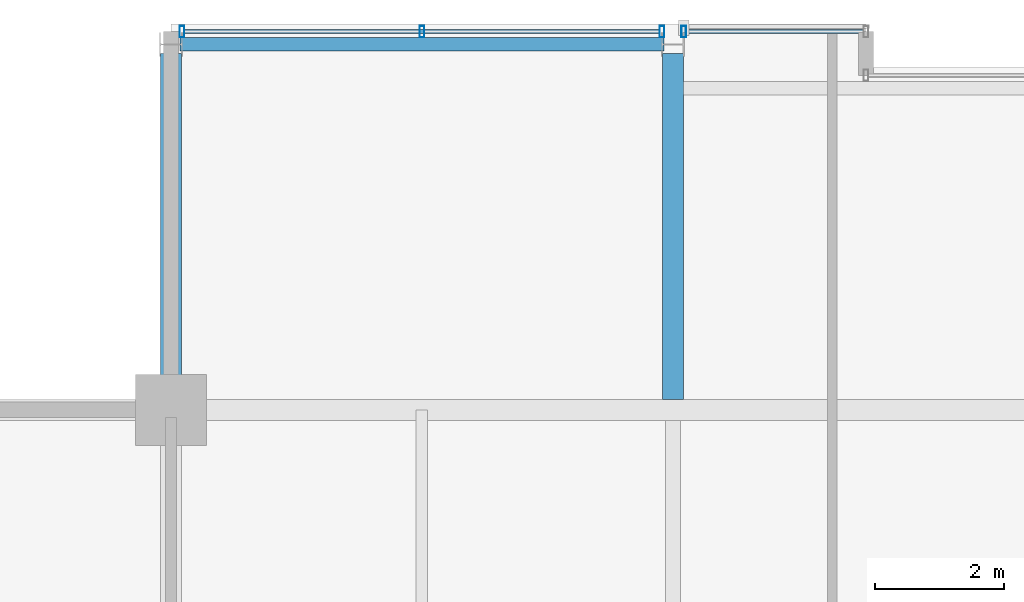
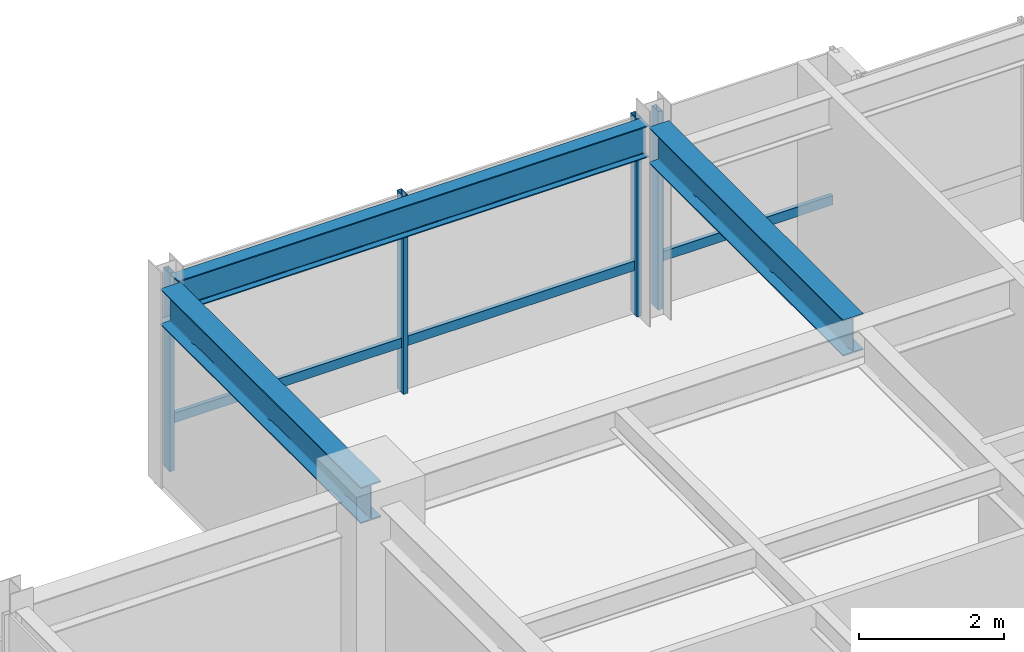
# One storey, part 21 of 34: 6 members, 3 beams, 2 elements without a shape of their own.
"""IFC4 building model written with IfcOpenShell, lengths in metres."""

from ifc_helpers import new_model, si_unit, direction, frame, origin, origin_2d, place, context, subcontext, project, spatial, hollow_rectangle, i_section, extrude, material, layer, layer_set, material_profile, profile_set, type_object, element, aggregate, save


model = new_model("IFC4")

# Units and contexts
model_context = context("Model", 3, precision=1e-05, world=origin(), true_north=direction((0.0, 1.0)))
body_context = subcontext(model_context, "Body", "Model", "MODEL_VIEW")
ifc_project = project(units=[si_unit("LENGTHUNIT", "METRE"), si_unit("AREAUNIT", "SQUARE_METRE"), si_unit("VOLUMEUNIT", "CUBIC_METRE"), si_unit("PLANEANGLEUNIT", "RADIAN"), si_unit("MASSUNIT", "GRAM", prefix="KILO")], contexts=[model_context])

# Site, building, storey
site_placement = place(None, origin())
site = spatial("IfcSite", under=ifc_project, at=site_placement, CompositionType="ELEMENT")
building_placement = place(site_placement, origin())
building = spatial("IfcBuilding", under=site, at=building_placement, Name="Drelvath Grand Hotel", CompositionType="ELEMENT")
storey_placement = place(building_placement, frame((0.0, 0.0, 290.550048828125)))
storey = spatial("IfcBuildingStorey", under=building, at=storey_placement, Name="L76", CompositionType="ELEMENT", Elevation=290.550048828125)

# Curtain wall, member
ifc_material_1 = material(Name="Platinum-Mist Anodised Aluminium Frame", Category="aluminium")
ifc_layer = layer(ifc_material_1, 0.199951171875)
ifc_layer_set = layer_set([ifc_layer], Name="Platinum-Mist Anodised Aluminium Frame")
curtain_wall_type = type_object("IfcCurtainWallType", Name="Stick Curtain Wall CW-05 Platinum Mist High-Rise", PredefinedType="NOTDEFINED", material=ifc_layer_set)
curtain_wall_1_placement = place(storey_placement, origin())
curtain_wall_1 = element("IfcCurtainWall", 1, at=curtain_wall_1_placement, inside=storey, type_object=curtain_wall_type, Name="L76 CW-05 Curtain Wall CW05-L76-NW1", PredefinedType="NOTDEFINED")
ifc_material_profile_1 = material_profile(ifc_material_1, hollow_rectangle(XDim=0.06494140625, YDim=0.159912109375, WallThickness=0.00390625, at=origin_2d()), Name="HSS160X65X4")
ifc_profile_set_1 = profile_set([ifc_material_profile_1], Name="Platinum-Mist Anodised Aluminium Frame")
member_type_1 = type_object("IfcMemberType", Name="Curtain Wall Horizontal Transom CW-05 HSS160X65X4", PredefinedType="USERDEFINED", material=ifc_profile_set_1)
member_1_placement = place(storey_placement, frame((-15.989990234375, 49.080078125, 0.83740234375), z_axis=(1.0, 0.0, 0.0), x_axis=(0.0, 1.0, 0.0)))
member_1 = element("IfcMember", 2, at=member_1_placement, type_object=member_type_1, Name="CW05-L76-NW1 Sill Transom", ObjectType="TRANSOM", PredefinedType="USERDEFINED", context=body_context, shape_type="SweptSolid", body=[
    extrude(hollow_rectangle(XDim=0.06494140625, YDim=0.159912109375, WallThickness=0.00390625, at=origin_2d()), origin(), (0.0, 0.0, 1.0), 7.3798828125),
])

curtain_wall_2_placement = place(storey_placement, origin())
curtain_wall_2 = element("IfcCurtainWall", 3, at=curtain_wall_2_placement, inside=storey, type_object=curtain_wall_type, Name="L76 CW-05 Curtain Wall CW05-L76-NW2", PredefinedType="NOTDEFINED")
member_2_placement = place(storey_placement, frame((-8.18994140625, 49.080078125, 0.83740234375), z_axis=(1.0, 0.0, 0.0), x_axis=(0.0, 1.0, 0.0)))
member_2 = element("IfcMember", 4, at=member_2_placement, type_object=member_type_1, Name="CW05-L76-NW2 Sill Transom", ObjectType="TRANSOM", PredefinedType="USERDEFINED", context=body_context, shape_type="SweptSolid", body=[
    extrude(hollow_rectangle(XDim=0.06494140625, YDim=0.159912109375, WallThickness=0.00390625, at=origin_2d()), origin(), (0.0, 0.0, 1.0), 2.75),
])

# Member
ifc_material_profile_2 = material_profile(ifc_material_1, hollow_rectangle(XDim=0.074951171875, YDim=0.179931640625, WallThickness=0.0048828125, at=origin_2d()), Name="HSS180X75X5")
ifc_profile_set_2 = profile_set([ifc_material_profile_2], Name="Platinum-Mist Anodised Aluminium Frame")
member_type_2 = type_object("IfcMemberType", Name="Curtain Wall Vertical Mullion CW-05 HSS180X75X5", PredefinedType="MULLION", material=ifc_profile_set_2)
member_3_placement = place(storey_placement, frame((-16.02978515625, 49.080078125, 0.0), z_axis=(0.0, 0.0, 1.0), x_axis=(1.0, 0.0, 0.0)))
member_3 = element("IfcMember", 5, at=member_3_placement, type_object=member_type_2, Name="CW05-L76-NW1 Mullion 1", PredefinedType="MULLION", context=body_context, shape_type="SweptSolid", body=[
    extrude(hollow_rectangle(XDim=0.074951171875, YDim=0.179931640625, WallThickness=0.0048828125, at=origin_2d()), origin(), (0.0, 0.0, 1.0), 3.349853515625),
])

member_4_placement = place(storey_placement, frame((-12.300048828125, 49.080078125, 0.0), z_axis=(0.0, 0.0, 1.0), x_axis=(1.0, 0.0, 0.0)))
member_4 = element("IfcMember", 6, at=member_4_placement, type_object=member_type_2, Name="CW05-L76-NW1 Mullion 2", PredefinedType="MULLION", context=body_context, shape_type="SweptSolid", body=[
    extrude(hollow_rectangle(XDim=0.074951171875, YDim=0.179931640625, WallThickness=0.0048828125, at=origin_2d()), origin(), (0.0, 0.0, 1.0), 3.349853515625),
])

member_5_placement = place(storey_placement, frame((-8.570068359375, 49.080078125, 0.0), z_axis=(0.0, 0.0, 1.0), x_axis=(1.0, 0.0, 0.0)))
member_5 = element("IfcMember", 7, at=member_5_placement, type_object=member_type_2, Name="CW05-L76-NW1 Mullion 3", PredefinedType="MULLION", context=body_context, shape_type="SweptSolid", body=[
    extrude(hollow_rectangle(XDim=0.074951171875, YDim=0.179931640625, WallThickness=0.0048828125, at=origin_2d()), origin(), (0.0, 0.0, 1.0), 3.349853515625),
])

aggregate(curtain_wall_1, [member_3, member_4, member_5, member_1])

member_6_placement = place(storey_placement, frame((-8.22998046875, 49.080078125, 0.0), z_axis=(0.0, 0.0, 1.0), x_axis=(1.0, 0.0, 0.0)))
member_6 = element("IfcMember", 8, at=member_6_placement, type_object=member_type_2, Name="CW05-L76-NW2 Mullion 1", PredefinedType="MULLION", context=body_context, shape_type="SweptSolid", body=[
    extrude(hollow_rectangle(XDim=0.074951171875, YDim=0.179931640625, WallThickness=0.0048828125, at=origin_2d()), origin(), (0.0, 0.0, 1.0), 3.349853515625),
])

aggregate(curtain_wall_2, [member_6, member_2])

# Beams
ifc_material_2 = material(Name="Steel ASTM A992 Gr 50", Category="steel")
ifc_material_profile_3 = material_profile(ifc_material_2, i_section(OverallWidth=0.210205078125, OverallDepth=0.53662109375, WebThickness=0.010986328125, FlangeThickness=0.017333984375, FilletRadius=0.01806640625, at=origin_2d()), Name="W21X68")
ifc_profile_set_3 = profile_set([ifc_material_profile_3], Name="Steel ASTM A992 Gr 50")
beam_type_1 = type_object("IfcBeamType", Name="Perimeter Spandrel Beam W21X68", PredefinedType="SPANDREL", material=ifc_profile_set_3)
beam_1_placement = place(storey_placement, frame((-16.06005859375, 48.8798828125, 3.08154296875), z_axis=(1.0, 0.0, 0.0), x_axis=(0.0, 1.0, 0.0)))
element("IfcBeam", 9, at=beam_1_placement, inside=storey, type_object=beam_type_1, Name="L76 Spandrel North W", PredefinedType="SPANDREL", context=body_context, shape_type="SweptSolid", body=[
    extrude(i_section(OverallWidth=0.210205078125, OverallDepth=0.53662109375, WebThickness=0.010986328125, FlangeThickness=0.017333984375, FilletRadius=0.01806640625, at=origin_2d()), origin(), (0.0, 0.0, 1.0), 7.52001953125),
])
ifc_material_profile_4 = material_profile(ifc_material_2, i_section(OverallWidth=0.323974609375, OverallDepth=0.611083984375, WebThickness=0.0126953125, FlangeThickness=0.01904296875, FilletRadius=0.02197265625, at=origin_2d()), Name="W24X104")
ifc_profile_set_4 = profile_set([ifc_material_profile_4], Name="Steel ASTM A992 Gr 50")
beam_type_2 = type_object("IfcBeamType", Name="Primary Floor Girder W24X104", PredefinedType="BEAM", material=ifc_profile_set_4)
beam_2_placement = place(storey_placement, frame((-16.199951171875, 43.199951171875, 3.04443359375), z_axis=(0.0, 1.0, 0.0), x_axis=(-1.0, 0.0, 0.0)))
element("IfcBeam", 10, at=beam_2_placement, inside=storey, type_object=beam_type_2, Name="L76 North Grid Girder 3", PredefinedType="BEAM", context=body_context, shape_type="SweptSolid", body=[
    extrude(i_section(OverallWidth=0.323974609375, OverallDepth=0.611083984375, WebThickness=0.0126953125, FlangeThickness=0.01904296875, FilletRadius=0.02197265625, at=origin_2d()), origin(), (0.0, 0.0, 1.0), 5.5400390625),
])
beam_3_placement = place(storey_placement, frame((-8.39990234375, 43.362060546875, 3.04443359375), z_axis=(0.0, 1.0, 0.0), x_axis=(-1.0, 0.0, 0.0)))
element("IfcBeam", 11, at=beam_3_placement, inside=storey, type_object=beam_type_2, Name="L76 North Wing Girder 4", PredefinedType="BEAM", context=body_context, shape_type="SweptSolid", body=[
    extrude(i_section(OverallWidth=0.323974609375, OverallDepth=0.611083984375, WebThickness=0.0126953125, FlangeThickness=0.01904296875, FilletRadius=0.02197265625, at=origin_2d()), origin(), (0.0, 0.0, 1.0), 5.3779296875),
])

save(model, "model.ifc")
